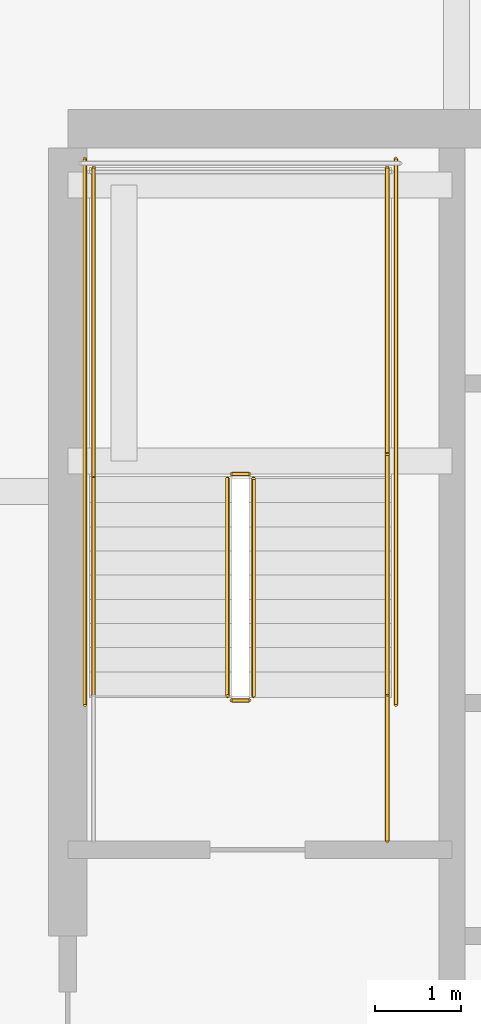
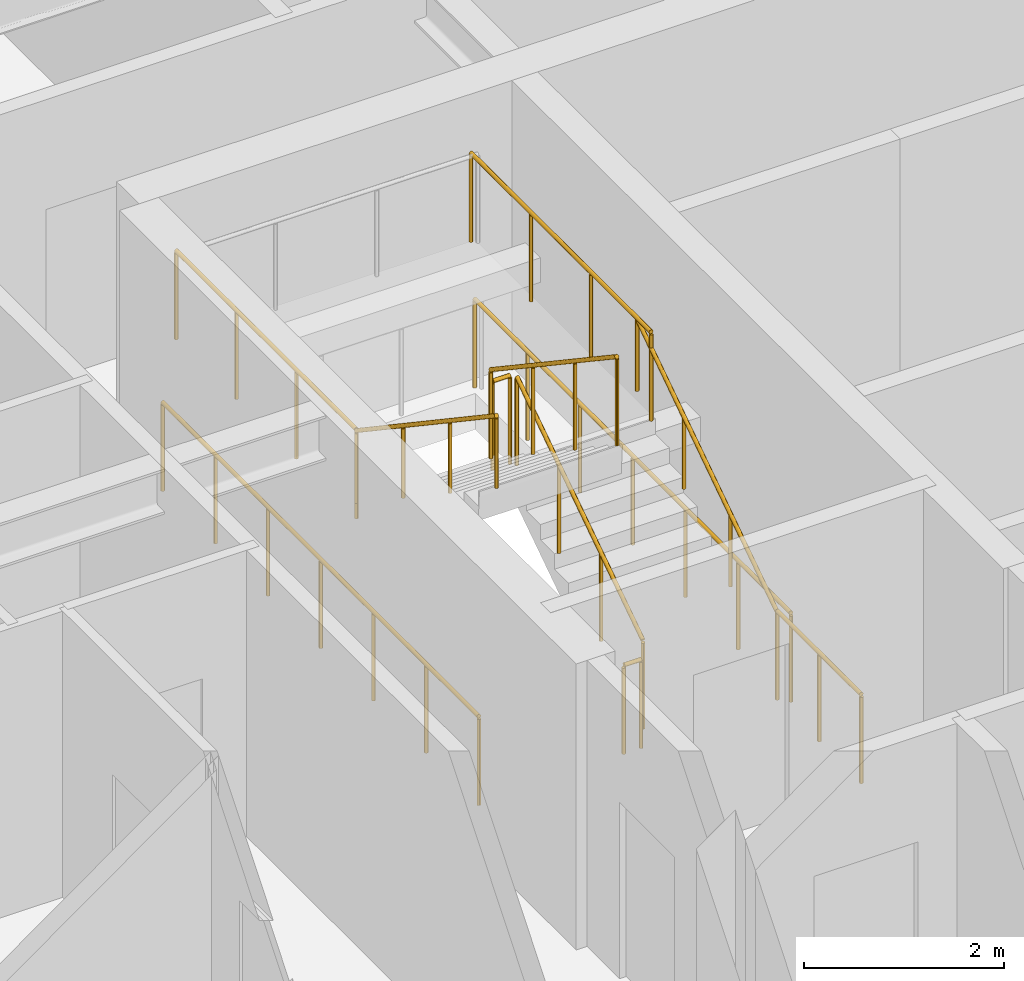
# One storey, part 34 of 37: 11 railings.
"""IFC4 building model written with IfcOpenShell, lengths in metres."""

from ifc_helpers import new_model, si_unit, direction, frame, origin, origin_2d, place, context, subcontext, project, spatial, circle, extrude, material, type_object, element, save


model = new_model("IFC4")

# Units and contexts
model_context = context("Model", 3, precision=1e-05, world=origin(), true_north=direction((0.0, 1.0)))
body_context = subcontext(model_context, "Body", "Model", "MODEL_VIEW")
ifc_project = project(units=[si_unit("LENGTHUNIT", "METRE"), si_unit("AREAUNIT", "SQUARE_METRE"), si_unit("VOLUMEUNIT", "CUBIC_METRE"), si_unit("PLANEANGLEUNIT", "RADIAN"), si_unit("MASSUNIT", "GRAM", prefix="KILO")], contexts=[model_context])

# Site, building, storey
site_placement = place(None, origin())
site = spatial("IfcSite", under=ifc_project, at=site_placement, CompositionType="ELEMENT")
building_placement = place(site_placement, origin())
building = spatial("IfcBuilding", under=site, at=building_placement, Name="Serunith Strait Residences", CompositionType="ELEMENT")
storey_placement = place(building_placement, frame((0.0, 0.0, 26.699951171875)))
storey = spatial("IfcBuildingStorey", under=building, at=storey_placement, Name="L05", CompositionType="ELEMENT", Elevation=26.699951171875)

# Railings
ifc_material = material(Name="Brushed stainless steel 316L", Category="steel")
railing_type_1 = type_object("IfcRailingType", Name="RLG-STAIR-GUARD", PredefinedType="BALUSTRADE", material=ifc_material)
railing_1_placement = place(storey_placement, frame((25.550048828125, 27.030029296875, 0.1875)))
element("IfcRailing", 1, at=railing_1_placement, inside=storey, type_object=railing_type_1, Name="L05 ST-1 stair guard 1", PredefinedType="BALUSTRADE", context=body_context, shape_type="SweptSolid", body=[
    extrude(circle(Radius=0.02392578125, at=origin_2d()), frame((0.0, 0.001708984375, 1.0771484375), z_axis=(0.0, 0.830909170722, 0.55640807867), x_axis=(-1.0, 0.0, 0.0)), (0.0, 0.0, 1.0), 3.02880859375),
    extrude(circle(Radius=0.02099609375, at=origin_2d()), origin(), (0.0, 0.0, 1.0), 1.050048828125),
    extrude(circle(Radius=0.02099609375, at=origin_2d()), frame((0.0, 0.840087890625, 0.5625)), (0.0, 0.0, 1.0), 1.050048828125),
    extrude(circle(Radius=0.02099609375, at=origin_2d()), frame((0.0, 1.679931640625, 1.125)), (0.0, 0.0, 1.0), 1.050048828125),
    extrude(circle(Radius=0.02099609375, at=origin_2d()), frame((0.0, 2.52001953125, 1.6875)), (0.0, 0.0, 1.0), 1.050048828125),
])
railing_2_placement = place(storey_placement, frame((25.5, 29.60009765625, 1.875)))
element("IfcRailing", 2, at=railing_2_placement, inside=storey, type_object=railing_type_1, Name="L05 ST-1 stair guard 2", PredefinedType="BALUSTRADE", context=body_context, shape_type="SweptSolid", body=[
    extrude(circle(Radius=0.02392578125, at=origin_2d()), frame((-0.001953125, 0.0, 1.076171875), z_axis=(-1.0, 0.0, 0.0), x_axis=(0.0, -1.0, 0.0)), (0.0, 0.0, 1.0), 0.196044921875),
    extrude(circle(Radius=0.02099609375, at=origin_2d()), origin(), (0.0, 0.0, 1.0), 1.050048828125),
    extrude(circle(Radius=0.02099609375, at=origin_2d()), frame((-0.199951171875, 0.0, 0.0)), (0.0, 0.0, 1.0), 1.050048828125),
])
for number, where, name in (
    (3, (27.10009765625, 29.550048828125, 1.875), "L05 ST-1 stair guard 3"),
    (4, (23.699951171875, 29.550048828125, 1.875), "L05 ST-1 stair guard 4"),
):
    element("IfcRailing", number, at=place(storey_placement, frame(where)), inside=storey, type_object=railing_type_1, Name=name, PredefinedType="BALUSTRADE", context=body_context, shape_type="SweptSolid", body=[
        extrude(circle(Radius=0.02392578125, at=origin_2d()), frame((0.0, 0.001953125, 1.076171875), z_axis=(0.0, 1.0, 0.0), x_axis=(-1.0, 0.0, 0.0)), (0.0, 0.0, 1.0), 3.595947265625),
        extrude(circle(Radius=0.02099609375, at=origin_2d()), origin(), (0.0, 0.0, 1.0), 1.050048828125),
        extrude(circle(Radius=0.02099609375, at=origin_2d()), frame((0.0, 1.199951171875, 0.0)), (0.0, 0.0, 1.0), 1.050048828125),
        extrude(circle(Radius=0.02099609375, at=origin_2d()), frame((0.0, 2.39990234375, 0.0)), (0.0, 0.0, 1.0), 1.050048828125),
        extrude(circle(Radius=0.02099609375, at=origin_2d()), frame((0.0, 3.599853515625, 0.0)), (0.0, 0.0, 1.0), 1.050048828125),
    ])
railing_3_placement = place(storey_placement, frame((25.25, 29.550048828125, 2.0625)))
element("IfcRailing", 5, at=railing_3_placement, inside=storey, type_object=railing_type_1, Name="L05 ST-1 stair guard 6", PredefinedType="BALUSTRADE", context=body_context, shape_type="SweptSolid", body=[
    extrude(circle(Radius=0.02392578125, at=origin_2d()), frame((0.0, -0.001708984375, 1.0771484375), z_axis=(0.0, -0.830909170722, 0.55640807867), x_axis=(1.0, 0.0, 0.0)), (0.0, 0.0, 1.0), 3.02880859375),
    extrude(circle(Radius=0.02099609375, at=origin_2d()), origin(), (0.0, 0.0, 1.0), 1.050048828125),
    extrude(circle(Radius=0.02099609375, at=origin_2d()), frame((0.0, -0.840087890625, 0.5625)), (0.0, 0.0, 1.0), 1.050048828125),
    extrude(circle(Radius=0.02099609375, at=origin_2d()), frame((0.0, -1.679931640625, 1.125)), (0.0, 0.0, 1.0), 1.050048828125),
    extrude(circle(Radius=0.02099609375, at=origin_2d()), frame((0.0, -2.52001953125, 1.6875)), (0.0, 0.0, 1.0), 1.050048828125),
])
railing_4_placement = place(storey_placement, frame((25.5, 26.97998046875, 0.0)))
element("IfcRailing", 6, at=railing_4_placement, inside=storey, type_object=railing_type_1, Name="L05 ST-1 stair guard 7", PredefinedType="BALUSTRADE", context=body_context, shape_type="SweptSolid", body=[
    extrude(circle(Radius=0.02392578125, at=origin_2d()), frame((-0.001953125, 0.0, 1.076171875), z_axis=(-1.0, 0.0, 0.0), x_axis=(0.0, -1.0, 0.0)), (0.0, 0.0, 1.0), 0.196044921875),
    extrude(circle(Radius=0.02099609375, at=origin_2d()), origin(), (0.0, 0.0, 1.0), 1.050048828125),
    extrude(circle(Radius=0.02099609375, at=origin_2d()), frame((-0.199951171875, 0.0, 0.0)), (0.0, 0.0, 1.0), 1.050048828125),
])
railing_5_placement = place(storey_placement, frame((27.10009765625, 25.35009765625, 0.0)))
element("IfcRailing", 7, at=railing_5_placement, inside=storey, type_object=railing_type_1, Name="L05 ST-1 stair guard 8", PredefinedType="BALUSTRADE", context=body_context, shape_type="SweptSolid", body=[
    extrude(circle(Radius=0.02392578125, at=origin_2d()), frame((0.0, 0.001953125, 1.076171875), z_axis=(0.0, 1.0, 0.0), x_axis=(-1.0, 0.0, 0.0)), (0.0, 0.0, 1.0), 1.676025390625),
    extrude(circle(Radius=0.02099609375, at=origin_2d()), origin(), (0.0, 0.0, 1.0), 1.050048828125),
    extrude(circle(Radius=0.02099609375, at=origin_2d()), frame((0.0, 0.83984375, 0.0)), (0.0, 0.0, 1.0), 1.050048828125),
    extrude(circle(Radius=0.02099609375, at=origin_2d()), frame((0.0, 1.679931640625, 0.0)), (0.0, 0.0, 1.0), 1.050048828125),
])
for number, where, name in (
    (8, (27.199951171875, 26.929931640625, 0.0), "L05 ST-1 stair guard 10"),
    (9, (23.60009765625, 26.929931640625, 0.0), "L05 ST-1 stair guard 11"),
):
    element("IfcRailing", number, at=place(storey_placement, frame(where)), inside=storey, type_object=railing_type_1, Name=name, PredefinedType="BALUSTRADE", context=body_context, shape_type="SweptSolid", body=[
        extrude(circle(Radius=0.02392578125, at=origin_2d()), frame((0.0, 0.001953125, 1.076171875), z_axis=(0.0, 1.0, 0.0), x_axis=(-1.0, 0.0, 0.0)), (0.0, 0.0, 1.0), 6.316162109375),
        extrude(circle(Radius=0.02099609375, at=origin_2d()), origin(), (0.0, 0.0, 1.0), 1.050048828125),
        extrude(circle(Radius=0.02099609375, at=origin_2d()), frame((0.0, 1.05322265625, 0.0)), (0.0, 0.0, 1.0), 1.050048828125),
        extrude(circle(Radius=0.02099609375, at=origin_2d()), frame((0.0, 2.106689453125, 0.0)), (0.0, 0.0, 1.0), 1.050048828125),
        extrude(circle(Radius=0.02099609375, at=origin_2d()), frame((0.0, 3.16015625, 0.0)), (0.0, 0.0, 1.0), 1.050048828125),
        extrude(circle(Radius=0.02099609375, at=origin_2d()), frame((0.0, 4.21337890625, 0.0)), (0.0, 0.0, 1.0), 1.050048828125),
        extrude(circle(Radius=0.02099609375, at=origin_2d()), frame((0.0, 5.2666015625, 0.0)), (0.0, 0.0, 1.0), 1.050048828125),
        extrude(circle(Radius=0.02099609375, at=origin_2d()), frame((0.0, 6.320068359375, 0.0)), (0.0, 0.0, 1.0), 1.050048828125),
    ])
railing_type_2 = type_object("IfcRailingType", Name="RLG-STAIR-HR", PredefinedType="HANDRAIL", material=ifc_material)
railing_6_placement = place(storey_placement, frame((27.10009765625, 27.030029296875, 0.1875)))
element("IfcRailing", 10, at=railing_6_placement, inside=storey, type_object=railing_type_2, Name="L05 ST-1 stair handrail 1", PredefinedType="HANDRAIL", context=body_context, shape_type="SweptSolid", body=[
    extrude(circle(Radius=0.02392578125, at=origin_2d()), frame((0.0, 0.001708984375, 0.876953125), z_axis=(0.0, 0.830208209119, 0.557453432594), x_axis=(-1.0, 0.0, 0.0)), (0.0, 0.0, 1.0), 3.36865234375),
    extrude(circle(Radius=0.02099609375, at=origin_2d()), origin(), (0.0, 0.0, 1.0), 0.849853515625),
    extrude(circle(Radius=0.02099609375, at=origin_2d()), frame((0.0, 0.933349609375, 0.626708984375)), (0.0, 0.0, 1.0), 0.849853515625),
    extrude(circle(Radius=0.02099609375, at=origin_2d()), frame((0.0, 1.86669921875, 1.25341796875)), (0.0, 0.0, 1.0), 0.849853515625),
    extrude(circle(Radius=0.02099609375, at=origin_2d()), frame((0.0, 2.800048828125, 1.880126953125)), (0.0, 0.0, 1.0), 0.849853515625),
])
railing_7_placement = place(storey_placement, frame((23.699951171875, 29.550048828125, 2.0625)))
element("IfcRailing", 11, at=railing_7_placement, inside=storey, type_object=railing_type_2, Name="L05 ST-1 stair handrail 2", PredefinedType="HANDRAIL", context=body_context, shape_type="SweptSolid", body=[
    extrude(circle(Radius=0.02392578125, at=origin_2d()), frame((0.0, -0.001708984375, 0.876953125), z_axis=(0.0, -0.830208209119, 0.557453432594), x_axis=(1.0, 0.0, 0.0)), (0.0, 0.0, 1.0), 3.36865234375),
    extrude(circle(Radius=0.02099609375, at=origin_2d()), origin(), (0.0, 0.0, 1.0), 0.849853515625),
    extrude(circle(Radius=0.02099609375, at=origin_2d()), frame((0.0, -0.933349609375, 0.626708984375)), (0.0, 0.0, 1.0), 0.849853515625),
    extrude(circle(Radius=0.02099609375, at=origin_2d()), frame((0.0, -1.86669921875, 1.25341796875)), (0.0, 0.0, 1.0), 0.849853515625),
    extrude(circle(Radius=0.02099609375, at=origin_2d()), frame((0.0, -2.800048828125, 1.880126953125)), (0.0, 0.0, 1.0), 0.849853515625),
])

save(model, "model.ifc")
